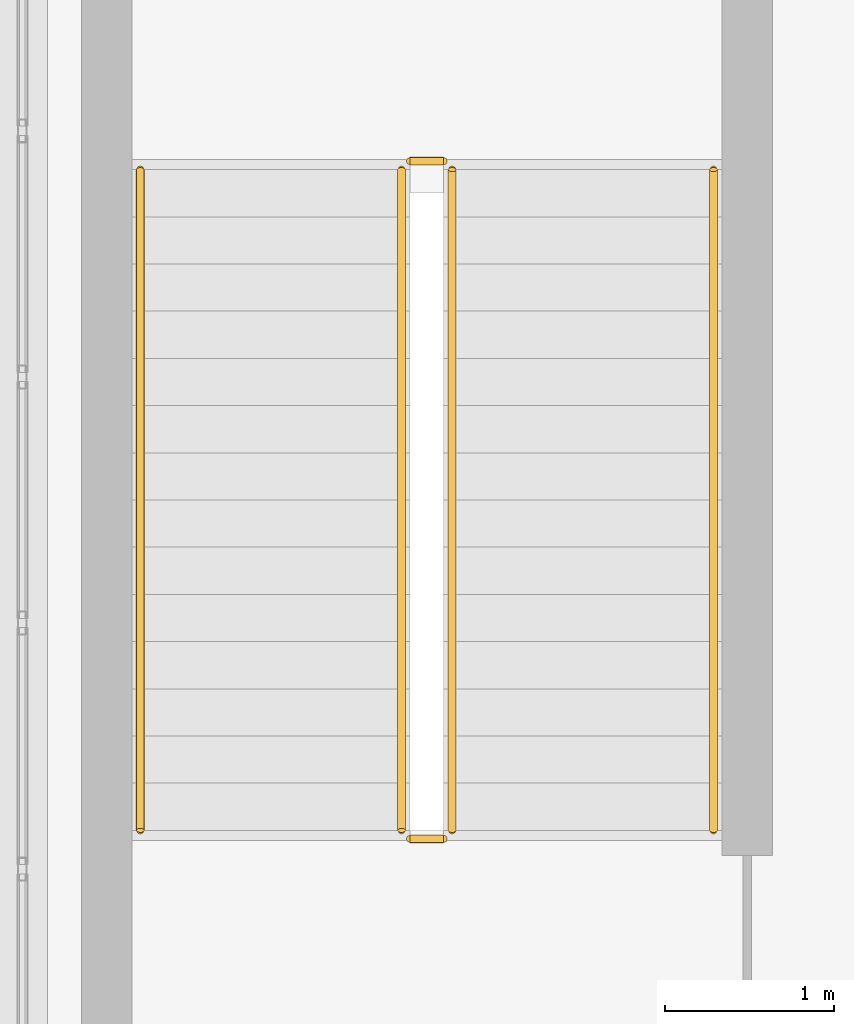
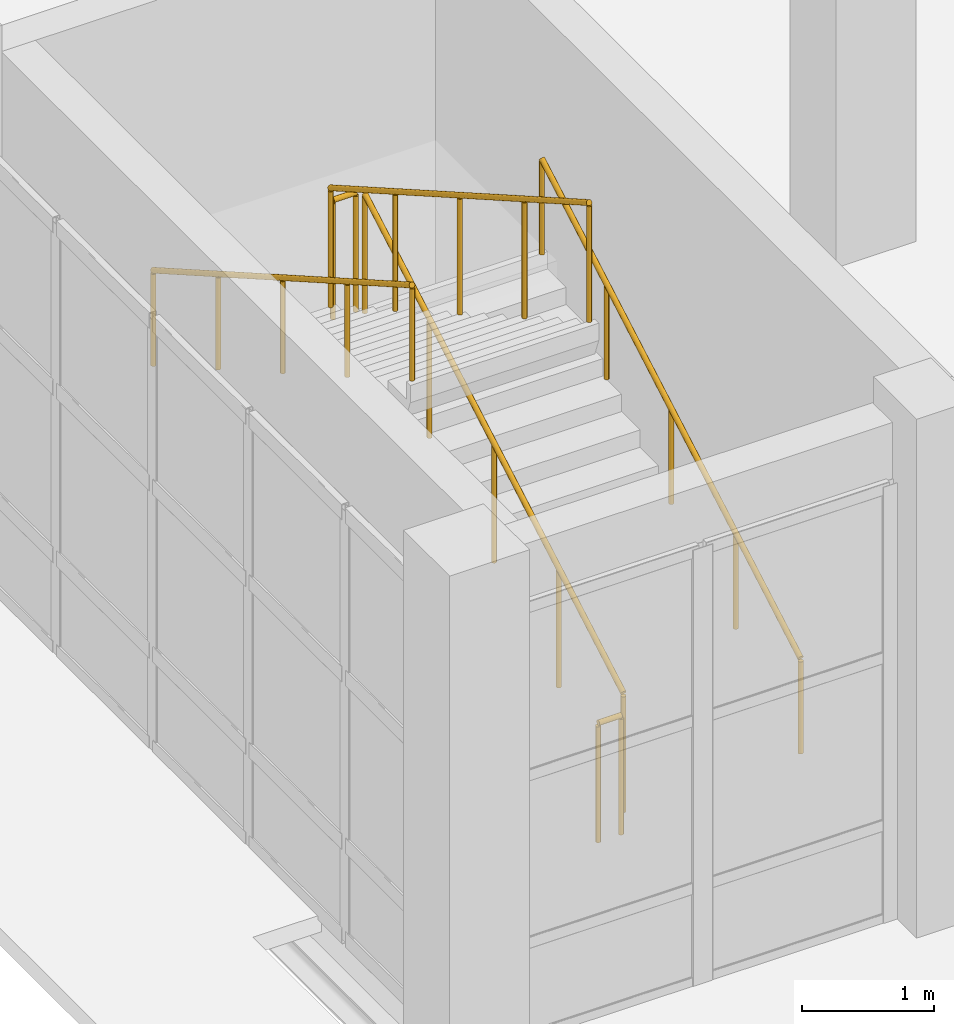
# One storey, part 136 of 156: 6 railings.
"""IFC4 building model written with IfcOpenShell, lengths in metres."""

from ifc_helpers import new_model, si_unit, direction, frame, origin, origin_2d, place, context, subcontext, project, spatial, circle, extrude, material, type_object, element, save


model = new_model("IFC4")

# Units and contexts
model_context = context("Model", 3, precision=1e-05, world=origin(), true_north=direction((0.0, 1.0)))
body_context = subcontext(model_context, "Body", "Model", "MODEL_VIEW")
ifc_project = project(units=[si_unit("LENGTHUNIT", "METRE"), si_unit("AREAUNIT", "SQUARE_METRE"), si_unit("VOLUMEUNIT", "CUBIC_METRE"), si_unit("PLANEANGLEUNIT", "RADIAN"), si_unit("MASSUNIT", "GRAM", prefix="KILO")], contexts=[model_context])

# Site, building, storey
site_placement = place(None, origin())
site = spatial("IfcSite", under=ifc_project, at=site_placement, CompositionType="ELEMENT")
building_placement = place(site_placement, origin())
building = spatial("IfcBuilding", under=site, at=building_placement, Name="Luwemba Playhouse", CompositionType="ELEMENT")
storey_placement = place(building_placement, origin())
storey = spatial("IfcBuildingStorey", under=building, at=storey_placement, Name="L00", CompositionType="ELEMENT", Elevation=0.0)

# Railings
ifc_material_1 = material(Name="Painted wrought-iron gallery balustrade", Category="steel")
railing_type_1 = type_object("IfcRailingType", Name="RLG-BAL-INT", PredefinedType="BALUSTRADE", material=ifc_material_1)
railing_1_placement = place(storey_placement, frame((6.550048828125, 5.0400390625, 0.159912109375)))
element("IfcRailing", 1, at=railing_1_placement, inside=storey, type_object=railing_type_1, Name="L00 ST-04 stair guard 1", PredefinedType="BALUSTRADE", context=body_context, shape_type="SweptSolid", body=[
    extrude(circle(Radius=0.02392578125, at=origin_2d()), frame((0.0, 0.0, 1.09619140625), z_axis=(0.0, 0.868239814368, 0.496144761885), x_axis=(-1.0, 0.0, 0.0)), (0.0, 0.0, 1.0), 4.514892578125),
    extrude(circle(Radius=0.02099609375, at=origin_2d()), origin(), (0.0, 0.0, 1.0), 1.072021484375),
    extrude(circle(Radius=0.02099609375, at=origin_2d()), frame((0.0, 0.97998046875, 0.56005859375)), (0.0, 0.0, 1.0), 1.072021484375),
    extrude(circle(Radius=0.02099609375, at=origin_2d()), frame((0.0, 1.9599609375, 1.1201171875)), (0.0, 0.0, 1.0), 1.072021484375),
    extrude(circle(Radius=0.02099609375, at=origin_2d()), frame((0.0, 2.93994140625, 1.679931640625)), (0.0, 0.0, 1.0), 1.072021484375),
    extrude(circle(Radius=0.02099609375, at=origin_2d()), frame((0.0, 3.919921875, 2.239990234375)), (0.0, 0.0, 1.0), 1.072021484375),
])
railing_2_placement = place(storey_placement, frame((6.5, 9.010009765625, 2.39990234375)))
element("IfcRailing", 2, at=railing_2_placement, inside=storey, type_object=railing_type_1, Name="L00 ST-04 stair guard 2", PredefinedType="BALUSTRADE", context=body_context, shape_type="SweptSolid", body=[
    extrude(circle(Radius=0.02392578125, at=origin_2d()), frame((0.0, 0.0, 1.09619140625), z_axis=(-1.0, 0.0, 0.0), x_axis=(0.0, -1.0, 0.0)), (0.0, 0.0, 1.0), 0.199951171875),
    extrude(circle(Radius=0.02099609375, at=origin_2d()), origin(), (0.0, 0.0, 1.0), 1.072021484375),
    extrude(circle(Radius=0.02099609375, at=origin_2d()), frame((-0.199951171875, 0.0, 0.0)), (0.0, 0.0, 1.0), 1.072021484375),
])
railing_3_placement = place(storey_placement, frame((6.25, 8.9599609375, 2.56005859375)))
element("IfcRailing", 3, at=railing_3_placement, inside=storey, type_object=railing_type_1, Name="L00 ST-04 stair guard 3", PredefinedType="BALUSTRADE", context=body_context, shape_type="SweptSolid", body=[
    extrude(circle(Radius=0.02392578125, at=origin_2d()), frame((0.0, 0.0, 1.09619140625), z_axis=(0.0, -0.868239814368, 0.496144761885), x_axis=(1.0, 0.0, 0.0)), (0.0, 0.0, 1.0), 4.514892578125),
    extrude(circle(Radius=0.02099609375, at=origin_2d()), origin(), (0.0, 0.0, 1.0), 1.072021484375),
    extrude(circle(Radius=0.02099609375, at=origin_2d()), frame((0.0, -0.97998046875, 0.56005859375)), (0.0, 0.0, 1.0), 1.072021484375),
    extrude(circle(Radius=0.02099609375, at=origin_2d()), frame((0.0, -1.9599609375, 1.1201171875)), (0.0, 0.0, 1.0), 1.072021484375),
    extrude(circle(Radius=0.02099609375, at=origin_2d()), frame((0.0, -2.93994140625, 1.679931640625)), (0.0, 0.0, 1.0), 1.072021484375),
    extrude(circle(Radius=0.02099609375, at=origin_2d()), frame((0.0, -3.919921875, 2.239990234375)), (0.0, 0.0, 1.0), 1.072021484375),
])
railing_4_placement = place(storey_placement, frame((6.5, 4.989990234375, 0.0)))
element("IfcRailing", 4, at=railing_4_placement, inside=storey, type_object=railing_type_1, Name="L00 ST-04 stair guard 4", PredefinedType="BALUSTRADE", context=body_context, shape_type="SweptSolid", body=[
    extrude(circle(Radius=0.02392578125, at=origin_2d()), frame((0.0, 0.0, 1.09619140625), z_axis=(-1.0, 0.0, 0.0), x_axis=(0.0, -1.0, 0.0)), (0.0, 0.0, 1.0), 0.199951171875),
    extrude(circle(Radius=0.02099609375, at=origin_2d()), origin(), (0.0, 0.0, 1.0), 1.072021484375),
    extrude(circle(Radius=0.02099609375, at=origin_2d()), frame((-0.199951171875, 0.0, 0.0)), (0.0, 0.0, 1.0), 1.072021484375),
])
ifc_material_2 = material(Name="Hardwood and bronze handrail", Category="wood")
railing_type_2 = type_object("IfcRailingType", Name="RLG-HR-INT", PredefinedType="HANDRAIL", material=ifc_material_2)
railing_5_placement = place(storey_placement, frame((8.10009765625, 5.0400390625, 0.159912109375)))
element("IfcRailing", 5, at=railing_5_placement, inside=storey, type_object=railing_type_2, Name="L00 ST-04 stair handrail 1", PredefinedType="HANDRAIL", context=body_context, shape_type="SweptSolid", body=[
    extrude(circle(Radius=0.02392578125, at=origin_2d()), frame((0.0, 0.0, 0.8759765625), z_axis=(0.0, 0.868239814368, 0.496144761885), x_axis=(-1.0, 0.0, 0.0)), (0.0, 0.0, 1.0), 4.514892578125),
    extrude(circle(Radius=0.02099609375, at=origin_2d()), origin(), (0.0, 0.0, 1.0), 0.851806640625),
    extrude(circle(Radius=0.02099609375, at=origin_2d()), frame((0.0, 0.97998046875, 0.56005859375)), (0.0, 0.0, 1.0), 0.851806640625),
    extrude(circle(Radius=0.02099609375, at=origin_2d()), frame((0.0, 1.9599609375, 1.1201171875)), (0.0, 0.0, 1.0), 0.851806640625),
    extrude(circle(Radius=0.02099609375, at=origin_2d()), frame((0.0, 2.93994140625, 1.679931640625)), (0.0, 0.0, 1.0), 0.851806640625),
    extrude(circle(Radius=0.02099609375, at=origin_2d()), frame((0.0, 3.919921875, 2.239990234375)), (0.0, 0.0, 1.0), 0.851806640625),
])
railing_6_placement = place(storey_placement, frame((4.699951171875, 8.9599609375, 2.56005859375)))
element("IfcRailing", 6, at=railing_6_placement, inside=storey, type_object=railing_type_2, Name="L00 ST-04 stair handrail 2", PredefinedType="HANDRAIL", context=body_context, shape_type="SweptSolid", body=[
    extrude(circle(Radius=0.02392578125, at=origin_2d()), frame((0.0, 0.0, 0.8759765625), z_axis=(0.0, -0.868239814368, 0.496144761885), x_axis=(1.0, 0.0, 0.0)), (0.0, 0.0, 1.0), 4.514892578125),
    extrude(circle(Radius=0.02099609375, at=origin_2d()), origin(), (0.0, 0.0, 1.0), 0.851806640625),
    extrude(circle(Radius=0.02099609375, at=origin_2d()), frame((0.0, -0.97998046875, 0.56005859375)), (0.0, 0.0, 1.0), 0.851806640625),
    extrude(circle(Radius=0.02099609375, at=origin_2d()), frame((0.0, -1.9599609375, 1.1201171875)), (0.0, 0.0, 1.0), 0.851806640625),
    extrude(circle(Radius=0.02099609375, at=origin_2d()), frame((0.0, -2.93994140625, 1.679931640625)), (0.0, 0.0, 1.0), 0.851806640625),
    extrude(circle(Radius=0.02099609375, at=origin_2d()), frame((0.0, -3.919921875, 2.239990234375)), (0.0, 0.0, 1.0), 0.851806640625),
])

save(model, "model.ifc")
